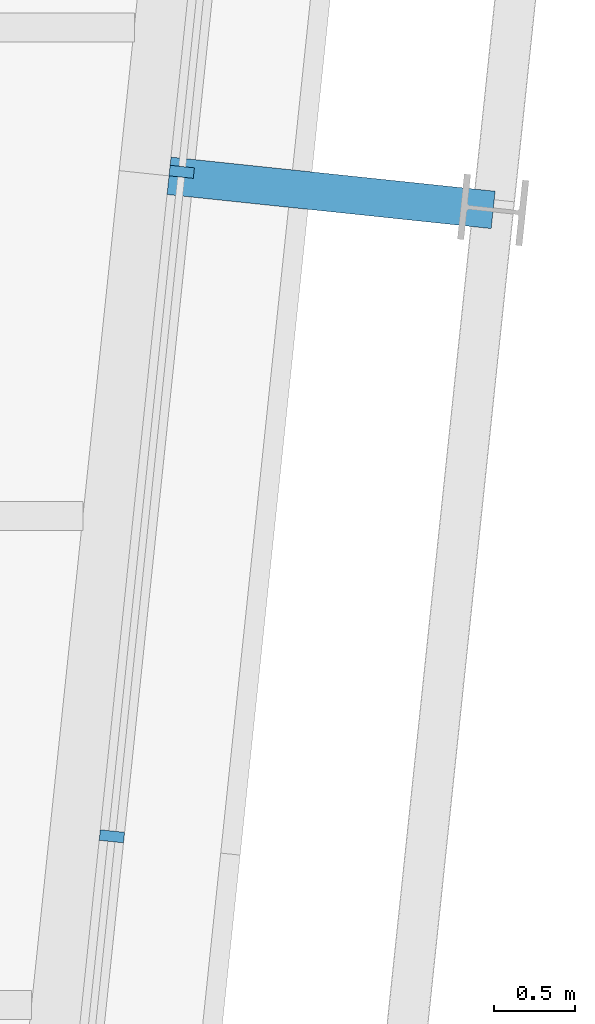
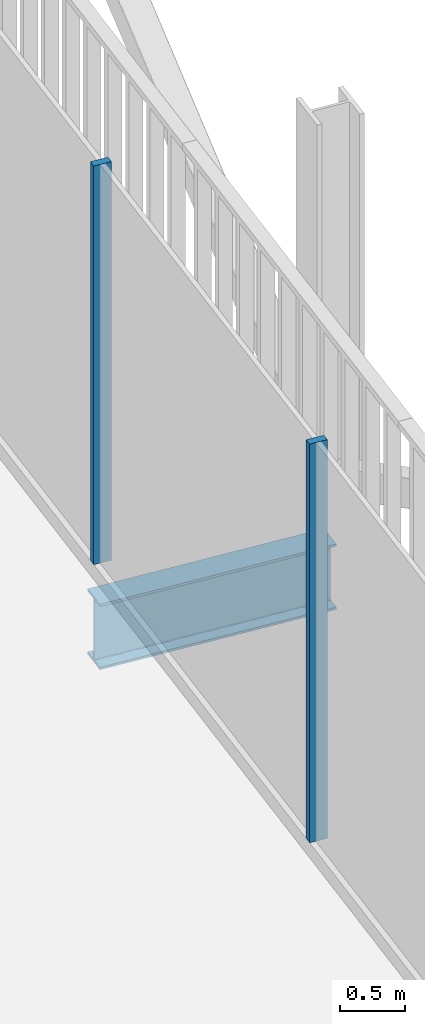
# One storey, part 11 of 21: 2 members, 1 beam, 1 element without a shape of its own.
"""IFC4 building model written with IfcOpenShell, lengths in metres."""

from ifc_helpers import new_model, si_unit, direction, frame, origin, origin_2d, place, context, subcontext, project, spatial, rectangle, i_section, extrude, material, layer, layer_set, material_profile, profile_set, type_object, element, aggregate, save


model = new_model("IFC4")

# Units and contexts
model_context = context("Model", 3, precision=1e-05, world=origin(), true_north=direction((0.0, 1.0)))
body_context = subcontext(model_context, "Body", "Model", "MODEL_VIEW")
ifc_project = project(units=[si_unit("LENGTHUNIT", "METRE"), si_unit("AREAUNIT", "SQUARE_METRE"), si_unit("VOLUMEUNIT", "CUBIC_METRE"), si_unit("PLANEANGLEUNIT", "RADIAN"), si_unit("MASSUNIT", "GRAM", prefix="KILO")], contexts=[model_context])

# Site, building, storey
site_placement = place(None, origin())
site = spatial("IfcSite", under=ifc_project, at=site_placement, CompositionType="ELEMENT")
building_placement = place(site_placement, origin())
building = spatial("IfcBuilding", under=site, at=building_placement, Name="Millrace Tower", CompositionType="ELEMENT")
storey_placement = place(building_placement, frame((0.0, 0.0, 318.699951171875)))
storey = spatial("IfcBuildingStorey", under=building, at=storey_placement, Name="L73", CompositionType="ELEMENT", Elevation=318.699951171875)

# Curtain wall, members
ifc_material_1 = material(Name="Aluminium and glass", Category="aluminium")
ifc_layer = layer(ifc_material_1, 0.14990234375)
ifc_layer_set = layer_set([ifc_layer], Name="Aluminium and glass")
curtain_wall_type = type_object("IfcCurtainWallType", Name="CW-1 office vision curtain wall", PredefinedType="NOTDEFINED", material=ifc_layer_set)
curtain_wall_placement = place(storey_placement, origin())
curtain_wall = element("IfcCurtainWall", 1, at=curtain_wall_placement, inside=storey, type_object=curtain_wall_type, Name="Curtain wall E-F04 L73", PredefinedType="NOTDEFINED")
ifc_material_2 = material(Name="Aluminium", Category="aluminium")
ifc_material_profile_1 = material_profile(ifc_material_2, rectangle(XDim=0.06494140625, YDim=0.14990234375, at=origin_2d()))
ifc_profile_set_1 = profile_set([ifc_material_profile_1], Name="Aluminium")
member_type = type_object("IfcMemberType", Name="CW-1 office vision curtain wall mullion", PredefinedType="MULLION", material=ifc_profile_set_1)
member_1_placement = place(storey_placement, frame((23.11767578125, 4.03515625, 0.14013671875), z_axis=(0.0, 0.0, 1.0), x_axis=(0.104528455196, 0.994521896217, 0.0)))
member_1 = element("IfcMember", 2, at=member_1_placement, type_object=member_type, Name="CW1 mullion E-F04.6", PredefinedType="MULLION", context=body_context, shape_type="SweptSolid", body=[
    extrude(rectangle(XDim=0.06494140625, YDim=0.14990234375, at=origin_2d()), origin(), (0.0, 0.0, 1.0), 3.760009765625),
])
member_2_placement = place(storey_placement, frame((23.546142578125, 8.11279296875, 0.14013671875), z_axis=(0.0, 0.0, 1.0), x_axis=(0.104528455196, 0.994521896217, 0.0)))
member_2 = element("IfcMember", 3, at=member_2_placement, type_object=member_type, Name="CW1 mullion E-F04.7", PredefinedType="MULLION", context=body_context, shape_type="SweptSolid", body=[
    extrude(rectangle(XDim=0.06494140625, YDim=0.14990234375, at=origin_2d()), origin(), (0.0, 0.0, 1.0), 3.760009765625),
])
aggregate(curtain_wall, [member_1, member_2])

# Beam
ifc_material_3 = material(Name="Steel ASTM A992 Grade 50", Category="steel")
ifc_material_profile_2 = material_profile(ifc_material_3, i_section(OverallWidth=0.23046875, OverallDepth=0.6171875, WebThickness=0.01318359375, FlangeThickness=0.022216796875, FilletRadius=0.012939453125, at=origin_2d()))
ifc_profile_set_2 = profile_set([ifc_material_profile_2], Name="Steel ASTM A992 Grade 50")
beam_type = type_object("IfcBeamType", Name="Link beam W24x94", PredefinedType="BEAM", material=ifc_profile_set_2)
beam_placement = place(storey_placement, frame((23.46826171875, 8.08837890625, -0.468505859375), z_axis=(0.994512808172, -0.104614886044, 0.0), x_axis=(0.104614886044, 0.994512808172, 0.0)))
element("IfcBeam", 4, at=beam_placement, inside=storey, type_object=beam_type, Name="LNK-E-L73-S1-10", PredefinedType="BEAM", context=body_context, shape_type="SweptSolid", body=[
    extrude(i_section(OverallWidth=0.23046875, OverallDepth=0.6171875, WebThickness=0.01318359375, FlangeThickness=0.022216796875, FilletRadius=0.012939453125, at=origin_2d()), origin(), (0.0, 0.0, 1.0), 2.0),
])

save(model, "model.ifc")
